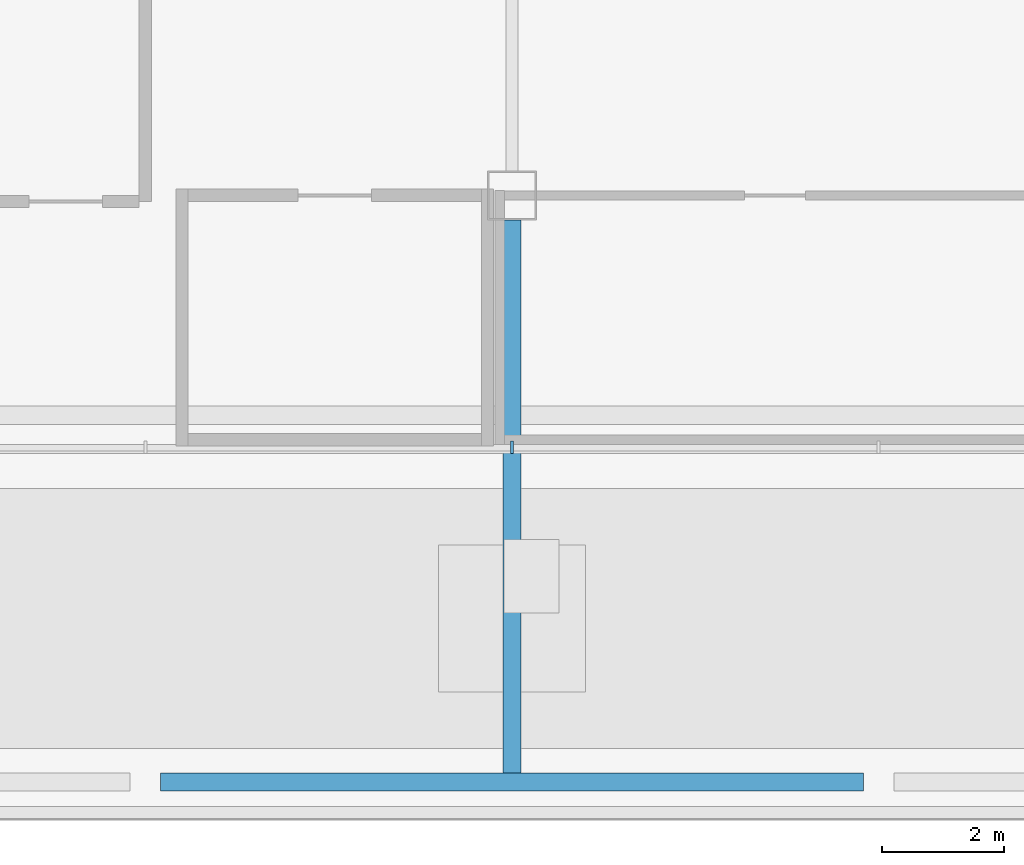
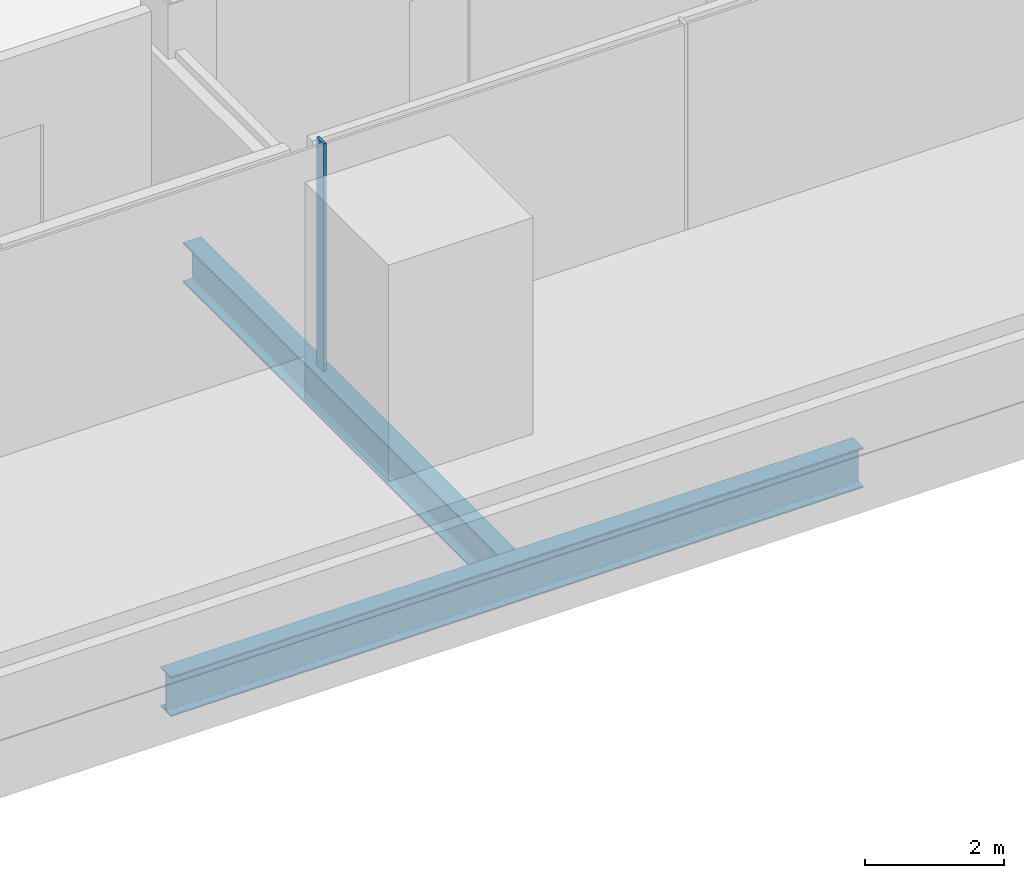
# One storey, part 3 of 18: 2 beams, 1 member, 1 element without a shape of its own.
"""IFC4 building model written with IfcOpenShell, lengths in metres."""

import ifcopenshell
import ifcopenshell.guid

model = None  # the IFC model being written
_history = None  # IfcOwnerHistory: only IFC2X3 demands one
_inside = {}  # id of a spatial element -> (the spatial element, [elements in it])
_under = {}  # id of a project, library or spatial element -> (it, [spatial elements below it])
_declared = {}  # id of a project -> (the project, [libraries it declares])
_typed = {}  # id of a type object -> (the type object, [elements of that type])
_made_of = {}  # id of a material, layer set ... -> (it, [elements and type objects made of it])


def new_model(schema):
    """Start an empty IFC model of exactly this schema.

    Asked for "IFC4X3", IfcOpenShell would pick the latest addendum, in which some entities
    have other attributes; the version numbers below select the first issue.
    IFC2X3 requires an IfcOwnerHistory on every rooted entity: one is made here for all.
    """
    global model, _history
    if schema == "IFC4X3":
        model = ifcopenshell.file(schema_version=(4, 3, 0, 0))
    else:
        model = ifcopenshell.file(schema=schema)
    _inside.clear()
    _under.clear()
    _declared.clear()
    _typed.clear()
    _made_of.clear()
    _history = None
    if model.schema == "IFC2X3":
        org = make("IfcOrganization", Name="unknown")
        user = make(
            "IfcPersonAndOrganization",
            ThePerson=make("IfcPerson", FamilyName="unknown"),
            TheOrganization=org,
        )
        app = make(
            "IfcApplication",
            ApplicationDeveloper=org,
            Version="unknown",
            ApplicationFullName="unknown",
            ApplicationIdentifier="unknown",
        )
        _history = make(
            "IfcOwnerHistory",
            OwningUser=user,
            OwningApplication=app,
            ChangeAction="ADDED",
            CreationDate=0,
        )
    return model


def make(cls, **values):
    """One entity of the class cls with the attributes given. An attribute that is None is left unset."""
    return model.create_entity(
        cls, **{name: value for name, value in values.items() if value is not None}
    )


def rooted(cls, **values):
    """An entity with a GlobalId (a new one), such as an element, a storey or a relation."""
    return make(cls, GlobalId=ifcopenshell.guid.new(), OwnerHistory=_history, **values)


def si_unit(unit_type, name, prefix=None):
    """IfcSIUnit, for example si_unit("LENGTHUNIT", "METRE", prefix="MILLI")."""
    return make("IfcSIUnit", UnitType=unit_type, Prefix=prefix, Name=name)


def assignment(units):
    """IfcUnitAssignment: the units of a project."""
    return None if units is None else make("IfcUnitAssignment", Units=units)


def point(xyz):
    """IfcCartesianPoint."""
    return None if xyz is None else make("IfcCartesianPoint", Coordinates=xyz)


def direction(xyz):
    """IfcDirection."""
    return None if xyz is None else make("IfcDirection", DirectionRatios=xyz)


def frame(location, z_axis=None, x_axis=None):
    """IfcAxis2Placement3D, a coordinate frame: its origin and axes. An axis left out is left unset."""
    return make(
        "IfcAxis2Placement3D",
        Location=point(location),
        Axis=direction(z_axis),
        RefDirection=direction(x_axis),
    )


def frame_2d(location, x_axis=None):
    """IfcAxis2Placement2D, a coordinate frame in the plane: its origin and x axis."""
    return make(
        "IfcAxis2Placement2D", Location=point(location), RefDirection=direction(x_axis)
    )


def origin():
    """The frame at (0, 0, 0) with its axes left unset."""
    return frame((0.0, 0.0, 0.0))


def origin_2d():
    """The frame at (0, 0) in the plane with its x axis left unset."""
    return frame_2d((0.0, 0.0))


def place(relative_to, where):
    """IfcLocalPlacement: puts the frame where relative to a parent placement (None: the world)."""
    return make(
        "IfcLocalPlacement", PlacementRelTo=relative_to, RelativePlacement=where
    )


def context(
    kind, dimensions, precision=None, world=None, true_north=None, identifier=None
):
    """IfcGeometricRepresentationContext, for example the 3D "Model" context."""
    return make(
        "IfcGeometricRepresentationContext",
        ContextIdentifier=identifier,
        ContextType=kind,
        CoordinateSpaceDimension=dimensions,
        Precision=precision,
        WorldCoordinateSystem=world,
        TrueNorth=true_north,
    )


def subcontext(parent, identifier, kind, view, scale=None):
    """IfcGeometricRepresentationSubContext, for example "Body" below "Model"."""
    return make(
        "IfcGeometricRepresentationSubContext",
        ContextIdentifier=identifier,
        ContextType=kind,
        ParentContext=parent,
        TargetScale=scale,
        TargetView=view,
    )


def project(units=None, contexts=None):
    """IfcProject with its units and contexts."""
    return rooted(
        "IfcProject",
        Name="project",
        RepresentationContexts=contexts,
        UnitsInContext=assignment(units),
    )


def spatial(cls, under=None, at=None, **own):
    """A site, building, storey or space (cls), placed at a placement, below another one or the project."""
    s = rooted(cls, ObjectPlacement=at, **own)
    if under is not None:
        _under.setdefault(under.id(), (under, []))[1].append(s)
    return s


def profile(cls, at=None, kind="AREA", **sizes):
    """A parametric profile (cls). Its sizes go by their IFC names, for example OverallWidth=200.0."""
    return make(cls, ProfileType=kind, Position=at, **sizes)


def rectangle(**sizes):
    """IfcRectangleProfileDef."""
    return profile("IfcRectangleProfileDef", **sizes)


def i_section(**sizes):
    """IfcIShapeProfileDef."""
    return profile("IfcIShapeProfileDef", **sizes)


def extrude(swept, where, along, depth):
    """IfcExtrudedAreaSolid: the profile swept, set in the frame where, extruded along a direction by depth."""
    return make(
        "IfcExtrudedAreaSolid",
        SweptArea=swept,
        Position=where,
        ExtrudedDirection=direction(along),
        Depth=depth,
    )


def shape(context_of_items, identifier, shape_type, items):
    """IfcShapeRepresentation: the items that make up one representation, for example the "Body"."""
    return make(
        "IfcShapeRepresentation",
        ContextOfItems=context_of_items,
        RepresentationIdentifier=identifier,
        RepresentationType=shape_type,
        Items=items,
    )


def material(Name=None, Category=None):
    """IfcMaterial."""
    return make("IfcMaterial", Name=Name, Category=Category)


def material_profile(
    of_material, cross_section, Name=None, Category=None, Priority=None
):
    """IfcMaterialProfile: a cross section and its material."""
    return make(
        "IfcMaterialProfile",
        Name=Name,
        Material=of_material,
        Profile=cross_section,
        Priority=Priority,
        Category=Category,
    )


def profile_set(profiles, Name=None, composite=None):
    """IfcMaterialProfileSet."""
    return make(
        "IfcMaterialProfileSet",
        Name=Name,
        MaterialProfiles=profiles,
        CompositeProfile=composite,
    )


def made_of(thing, what):
    """Note that an element or type object is made of a material, layer set ...; save() writes the relation."""
    if what is not None:
        _made_of.setdefault(what.id(), (what, []))[1].append(thing)
    return thing


def type_object(cls, material=None, **own):
    """A type object (cls), such as IfcWallType, which elements share."""
    return made_of(rooted(cls, **own), material)


def element(
    cls,
    number,
    at=None,
    inside=None,
    cuts=None,
    type_object=None,
    material=None,
    context=None,
    identifier="Body",
    shape_type=None,
    held_by="IfcProductDefinitionShape",
    body=None,
    shapes=None,
    **own,
):
    """One element of the class cls, such as IfcWall. Its Tag is "e" and its number.

    at: its placement. inside: the storey or other place that contains it. cuts: it is an
    opening in that element (IfcRelVoidsElement). A single representation is given by context,
    identifier, shape_type and body (its items); several are given by shapes. held_by: the class
    of the entity that holds the representations. save() writes the other relations.
    """
    e = rooted(cls, Tag="e%d" % number, ObjectPlacement=at, **own)
    if body is not None:
        shapes = [shape(context, identifier, shape_type, body)]
    if shapes is not None:
        e.Representation = make(held_by, Representations=shapes)
    if inside is not None:
        _inside.setdefault(inside.id(), (inside, []))[1].append(e)
    if cuts is not None:
        rooted(
            "IfcRelVoidsElement", RelatingBuildingElement=cuts, RelatedOpeningElement=e
        )
    if type_object is not None:
        _typed.setdefault(type_object.id(), (type_object, []))[1].append(e)
    return made_of(e, material)


def aggregate(whole, parts):
    """IfcRelAggregates: a whole, such as a stair, and the parts it consists of."""
    return rooted("IfcRelAggregates", RelatingObject=whole, RelatedObjects=parts)


def save(model, path):
    """Write the relations noted so far, then the file.

    IfcRelAggregates (storeys below a building ...), IfcRelContainedInSpatialStructure (elements
    in a storey), IfcRelDefinesByType, IfcRelAssociatesMaterial and IfcRelDeclares: one each for
    every whole, place, type object, material and project.
    """
    for whole, parts in _under.values():
        aggregate(whole, parts)
    for where, things in _inside.values():
        rooted(
            "IfcRelContainedInSpatialStructure",
            RelatedElements=things,
            RelatingStructure=where,
        )
    for kind, things in _typed.values():
        rooted("IfcRelDefinesByType", RelatedObjects=things, RelatingType=kind)
    for what, things in _made_of.values():
        rooted("IfcRelAssociatesMaterial", RelatedObjects=things, RelatingMaterial=what)
    for by, libraries in _declared.values():
        rooted("IfcRelDeclares", RelatingContext=by, RelatedDefinitions=libraries)
    model.write(path)


model = new_model("IFC4")

# Units and contexts
model_context = context("Model", 3, precision=1e-05, world=origin(), true_north=direction((0.0, 1.0)))
body_context = subcontext(model_context, "Body", "Model", "MODEL_VIEW")
ifc_project = project(units=[si_unit("LENGTHUNIT", "METRE"), si_unit("AREAUNIT", "SQUARE_METRE"), si_unit("VOLUMEUNIT", "CUBIC_METRE"), si_unit("PLANEANGLEUNIT", "RADIAN"), si_unit("MASSUNIT", "GRAM", prefix="KILO")], contexts=[model_context])

# Site, building, storey
site_placement = place(None, origin())
site = spatial("IfcSite", under=ifc_project, at=site_placement, CompositionType="ELEMENT")
building_placement = place(site_placement, origin())
building = spatial("IfcBuilding", under=site, at=building_placement, Name="Sorahane Residences", CompositionType="ELEMENT")
storey_placement = place(building_placement, frame((0.0, 0.0, 345.800048828125)))
storey = spatial("IfcBuildingStorey", under=building, at=storey_placement, Name="L82", CompositionType="ELEMENT", Elevation=345.800048828125)

# Curtain wall, member
ifc_material_1 = material(Name="Dark low-e glass and black anodised aluminium", Category="aluminium")
curtain_wall_type = type_object("IfcCurtainWallType", Name="Curtain wall CW-6 Crown unitised wall", PredefinedType="NOTDEFINED", material=ifc_material_1)
curtain_wall_placement = place(storey_placement, origin())
curtain_wall = element("IfcCurtainWall", 1, at=curtain_wall_placement, inside=storey, type_object=curtain_wall_type, Name="CW-6 curtain wall L82 S1", PredefinedType="NOTDEFINED")
ifc_material_2 = material(Name="Black anodised aluminium", Category="aluminium")
ifc_material_profile_1 = material_profile(ifc_material_2, rectangle(XDim=0.199951171875, YDim=0.050048828125, at=origin_2d()), Name="Curtain wall mullion CW-6 black anodised aluminium 50x200")
ifc_profile_set_1 = profile_set([ifc_material_profile_1], Name="Black anodised aluminium")
member_type = type_object("IfcMemberType", Name="Curtain wall mullion CW-6 black anodised aluminium 50x200", PredefinedType="MULLION", material=ifc_profile_set_1)
member_placement = place(storey_placement, frame((18.0, 17.47998046875, -0.25), z_axis=(0.0, 0.0, 1.0), x_axis=(0.0, -1.0, 0.0)))
member = element("IfcMember", 2, at=member_placement, type_object=member_type, Name="CW-6 mullion L82 S1.5", PredefinedType="MULLION", context=body_context, shape_type="SweptSolid", body=[
    extrude(rectangle(XDim=0.199951171875, YDim=0.050048828125, at=origin_2d()), origin(), (0.0, 0.0, 1.0), 4.0),
])
aggregate(curtain_wall, [member])

# Beams
ifc_material_3 = material(Name="Steel Q355B", Category="steel")
ifc_material_profile_2 = material_profile(ifc_material_3, i_section(OverallWidth=0.300048828125, OverallDepth=0.699951171875, WebThickness=0.012939453125, FlangeThickness=0.02392578125, FilletRadius=0.028076171875, at=origin_2d()), Name="HN 700x300x13x24")
ifc_profile_set_2 = profile_set([ifc_material_profile_2], Name="Steel Q355B")
beam_type = type_object("IfcBeamType", Name="Steel floor beam HN 700x300x13x24 Q355B", PredefinedType="BEAM", material=ifc_profile_set_2)
beam_1_placement = place(storey_placement, frame((12.25, 12.0, -0.60009765625), z_axis=(1.0, 0.0, 0.0), x_axis=(0.0, 1.0, 0.0)))
element("IfcBeam", 3, at=beam_1_placement, inside=storey, type_object=beam_type, Name="Beam L82 001", PredefinedType="BEAM", context=body_context, shape_type="SweptSolid", body=[
    extrude(i_section(OverallWidth=0.300048828125, OverallDepth=0.699951171875, WebThickness=0.012939453125, FlangeThickness=0.02392578125, FilletRadius=0.028076171875, at=origin_2d()), origin(), (0.0, 0.0, 1.0), 11.5),
])
beam_2_placement = place(storey_placement, frame((18.0, 12.14990234375, -0.60009765625), z_axis=(0.0, 1.0, 0.0), x_axis=(-1.0, 0.0, 0.0)))
element("IfcBeam", 4, at=beam_2_placement, inside=storey, type_object=beam_type, Name="Beam L82 017", PredefinedType="BEAM", context=body_context, shape_type="SweptSolid", body=[
    extrude(i_section(OverallWidth=0.300048828125, OverallDepth=0.699951171875, WebThickness=0.012939453125, FlangeThickness=0.02392578125, FilletRadius=0.028076171875, at=origin_2d()), origin(), (0.0, 0.0, 1.0), 9.050048828125),
])

save(model, "model.ifc")
